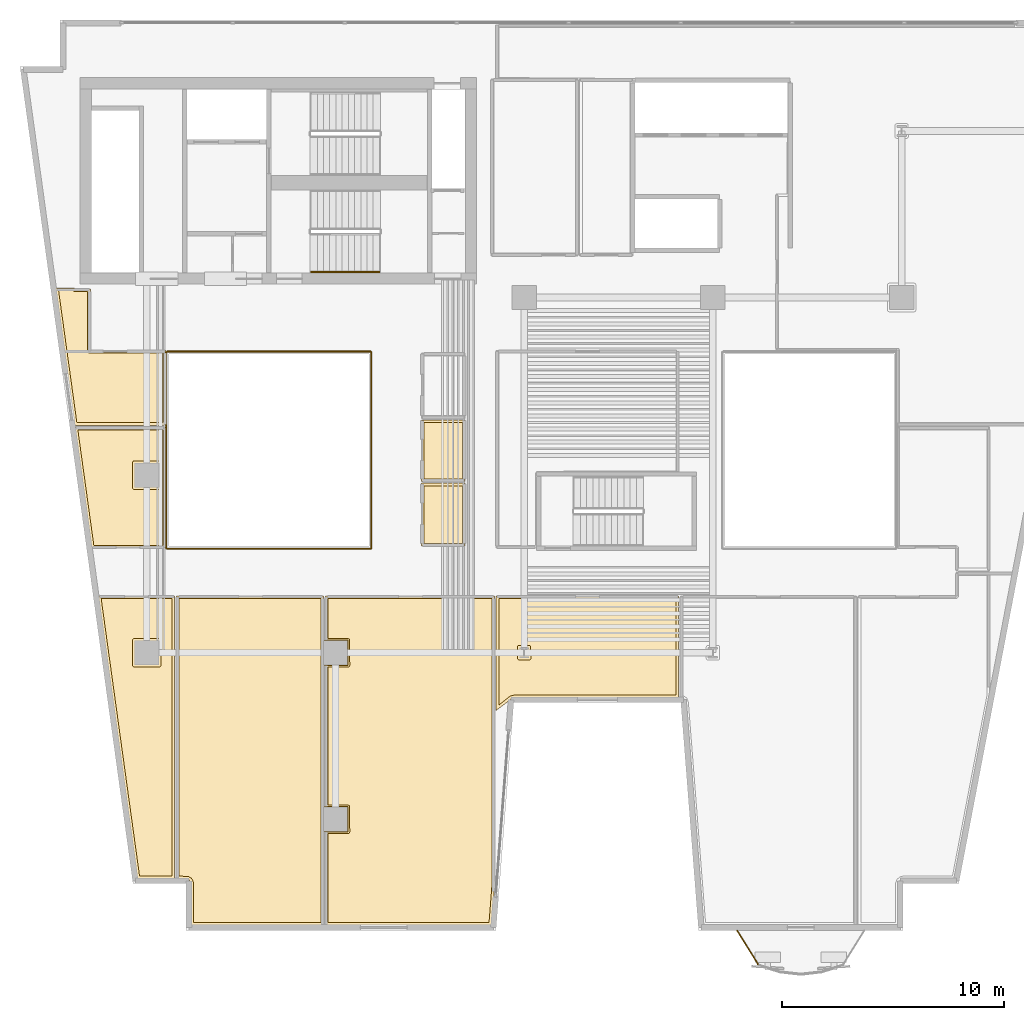
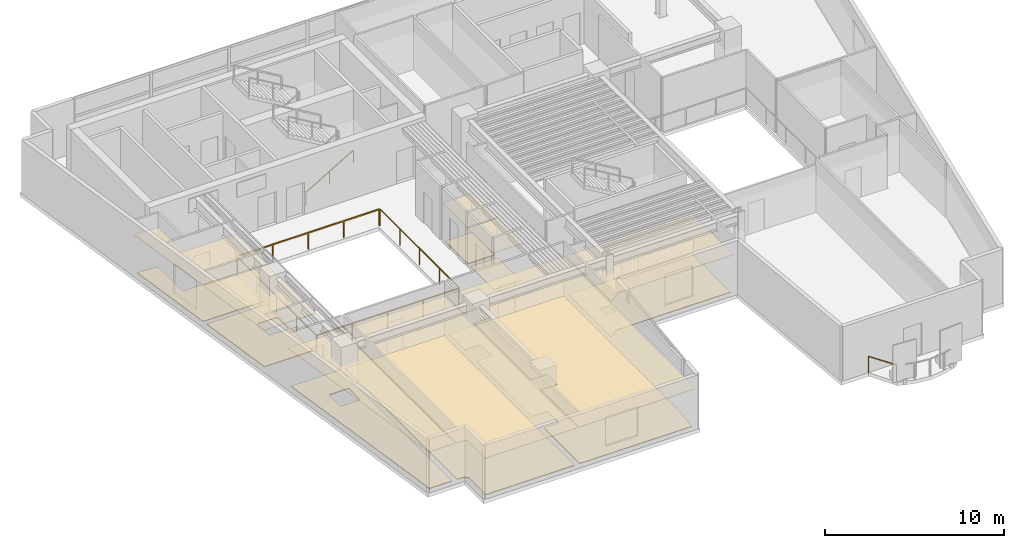
# One storey, part 10 of 13: 16 coverings, 6 railings.
"""IFC4 building model written with IfcOpenShell, lengths in metres."""

from ifc_helpers import new_model, si_unit, direction, frame, origin, origin_2d, place, context, subcontext, project, spatial, polyline, rectangle, outline, extrude, material, layer, layer_set, type_object, element, save


model = new_model("IFC4")

# Units and contexts
model_context = context("Model", 3, precision=1e-05, world=origin(), true_north=direction((0.0, 1.0)))
body_context = subcontext(model_context, "Body", "Model", "MODEL_VIEW")
ifc_project = project(units=[si_unit("LENGTHUNIT", "METRE"), si_unit("AREAUNIT", "SQUARE_METRE"), si_unit("VOLUMEUNIT", "CUBIC_METRE"), si_unit("PLANEANGLEUNIT", "RADIAN"), si_unit("MASSUNIT", "GRAM", prefix="KILO")], contexts=[model_context])

# Site, building, storey
site_placement = place(None, origin())
site = spatial("IfcSite", under=ifc_project, at=site_placement, CompositionType="ELEMENT")
building_placement = place(site_placement, origin())
building = spatial("IfcBuilding", under=site, at=building_placement, Name="Caeloran Harvest Quay", CompositionType="ELEMENT")
storey_placement = place(building_placement, frame((0.0, 0.0, 170.64990234375)))
storey = spatial("IfcBuildingStorey", under=building, at=storey_placement, Name="L40", CompositionType="ELEMENT", Elevation=170.64990234375)

# Coverings
ifc_material_1 = material(Name="Perforated Mineral-Fibre Acoustic Ceiling Tile", Category="ceiling")
ifc_layer_1 = layer(ifc_material_1, 0.0400390625, Name="Perforated Mineral-Fibre Acoustic Ceiling Tile")
ifc_layer_set_1 = layer_set([ifc_layer_1], Name="Perforated Mineral-Fibre Acoustic Ceiling Tile")
covering_type_1 = type_object("IfcCoveringType", Name="COV-CEILING-ACOUSTIC", PredefinedType="CEILING", material=ifc_layer_set_1)
covering_1_placement = place(storey_placement, frame((0.0, 0.0, 2.60009765625)))
element("IfcCovering", 1, at=covering_1_placement, inside=storey, type_object=covering_type_1, Name="L40 Female Washroom WC Acoustic Ceiling", PredefinedType="CEILING", context=body_context, shape_type="SweptSolid", body=[
    extrude(outline(polyline([(22.840087890625, 22.7099609375), (20.8701171875, 22.7099609375), (20.8701171875, 25.489990234375), (22.840087890625, 25.489990234375), (22.840087890625, 22.7099609375)])), origin(), (0.0, 0.0, 1.0), 0.0400390625),
])
covering_2_placement = place(storey_placement, frame((0.0, 0.0, 2.60009765625)))
element("IfcCovering", 2, at=covering_2_placement, inside=storey, type_object=covering_type_1, Name="L40 Accessible Unisex Washroom WC Acoustic Ceiling", PredefinedType="CEILING", context=body_context, shape_type="SweptSolid", body=[
    extrude(outline(polyline([(22.840087890625, 19.81005859375), (20.8701171875, 19.81005859375), (20.8701171875, 22.639892578125), (22.840087890625, 22.639892578125), (22.840087890625, 19.81005859375)])), origin(), (0.0, 0.0, 1.0), 0.0400390625),
])
covering_3_placement = place(storey_placement, frame((0.0, 0.0, 2.60009765625)))
element("IfcCovering", 3, at=covering_3_placement, inside=storey, type_object=covering_type_1, Name="Agri-Design Innovation Studio Acoustic Ceiling", PredefinedType="CEILING", context=body_context, shape_type="SweptSolid", body=[
    extrude(outline(polyline([(16.429931640625, 6.929931640625), (16.429931640625, 8.070068359375), (16.5400390625, 8.070068359375), (16.5400390625, 14.429931640625), (16.429931640625, 14.429931640625), (16.429931640625, 15.570068359375), (16.5400390625, 15.570068359375), (16.5400390625, 17.56005859375), (24.159912109375, 17.56005859375), (24.159912109375, 4.430419921875), (24.026611328125, 2.719970703125), (16.5400390625, 2.719970703125), (16.5400390625, 6.929931640625), (16.429931640625, 6.929931640625)])), origin(), (0.0, 0.0, 1.0), 0.0400390625),
])
covering_4_placement = place(storey_placement, frame((0.0, 0.0, 2.60009765625)))
element("IfcCovering", 4, at=covering_4_placement, inside=storey, type_object=covering_type_1, Name="Hospitality Tasting Dining Kitchen Acoustic Ceiling", PredefinedType="CEILING", context=body_context, shape_type="SweptSolid", body=[
    extrude(outline(polyline([(17.570068359375, 8.070068359375), (17.570068359375, 6.929931640625), (16.4599609375, 6.929931640625), (16.4599609375, 2.719970703125), (10.489990234375, 2.719970703125), (10.48046875, 4.663818359375), (10.409423828125, 4.77001953125), (10.31298828125, 4.815673828125), (9.840087890625, 4.820068359375), (9.840087890625, 17.56005859375), (16.4599609375, 17.56005859375), (16.4599609375, 15.570068359375), (17.570068359375, 15.570068359375), (17.570068359375, 14.429931640625), (16.4599609375, 14.429931640625), (16.4599609375, 8.070068359375), (17.570068359375, 8.070068359375)])), origin(), (0.0, 0.0, 1.0), 0.0400390625),
])
covering_5_placement = place(storey_placement, frame((0.0, 0.0, 2.60009765625)))
element("IfcCovering", 5, at=covering_5_placement, inside=storey, type_object=covering_type_1, Name="Executive Chef Kitchen Acoustic Ceiling", PredefinedType="CEILING", context=body_context, shape_type="SweptSolid", body=[
    extrude(outline(polyline([(8.0712890625, 4.820068359375), (6.309326171875, 17.56005859375), (9.760009765625, 17.56005859375), (9.760009765625, 4.820068359375), (8.0712890625, 4.820068359375)])), origin(), (0.0, 0.0, 1.0), 0.0400390625),
])
covering_6_placement = place(storey_placement, frame((0.0, 0.0, 2.60009765625)))
element("IfcCovering", 6, at=covering_6_placement, inside=storey, type_object=covering_type_1, Name="Media Broadcast Studio Acoustic Ceiling", PredefinedType="CEILING", context=body_context, shape_type="SweptSolid", body=[
    extrude(outline(polyline([(32.4599609375, 12.969970703125), (25.008056640625, 12.968994140625), (24.90625, 12.931884765625), (24.836181640625, 12.85400390625), (24.239990234375, 12.403564453125), (24.239990234375, 17.56005859375), (32.4599609375, 17.56005859375), (32.4599609375, 12.969970703125)])), origin(), (0.0, 0.0, 1.0), 0.0400390625),
])
covering_7_placement = place(storey_placement, frame((0.0, 0.0, 2.60009765625)))
element("IfcCovering", 7, at=covering_7_placement, inside=storey, type_object=covering_type_1, Name="Agri-Design Innovation Studio 8 Acoustic Ceiling", PredefinedType="CEILING", context=body_context, shape_type="SweptSolid", body=[
    extrude(outline(polyline([(9.360107421875, 19.7099609375), (6.01220703125, 19.7099609375), (5.25830078125, 25.159912109375), (9.360107421875, 25.159912109375), (9.360107421875, 19.7099609375)])), origin(), (0.0, 0.0, 1.0), 0.0400390625),
])
covering_8_placement = place(storey_placement, frame((0.0, 0.0, 2.60009765625)))
element("IfcCovering", 8, at=covering_8_placement, inside=storey, type_object=covering_type_1, Name="Culinary Product Studio 10 Acoustic Ceiling", PredefinedType="CEILING", context=body_context, shape_type="SweptSolid", body=[
    extrude(outline(polyline([(5.260009765625, 31.389892578125), (5.9599609375, 31.389892578125), (5.9599609375, 28.610107421875), (9.360107421875, 28.610107421875), (9.360107421875, 25.239990234375), (5.247314453125, 25.239990234375), (4.391357421875, 31.429931640625), (5.214599609375, 31.429931640625), (5.260009765625, 31.408447265625), (5.260009765625, 31.389892578125)])), origin(), (0.0, 0.0, 1.0), 0.0400390625),
])
ifc_material_2 = material(Name="Calcium-Sulphate Raised Access Floor and Terrazzo Finish", Category="flooring")
ifc_layer_2 = layer(ifc_material_2, 0.050048828125, Name="Calcium-Sulphate Raised Access Floor and Terrazzo Finish")
ifc_layer_set_2 = layer_set([ifc_layer_2], Name="Calcium-Sulphate Raised Access Floor and Terrazzo Finish")
covering_type_2 = type_object("IfcCoveringType", Name="COV-FLOOR-RAISED", PredefinedType="FLOORING", material=ifc_layer_set_2)
covering_9_placement = place(storey_placement, origin())
element("IfcCovering", 9, at=covering_9_placement, inside=storey, type_object=covering_type_2, Name="L40 Female Washroom WC Raised Finish Flooring", PredefinedType="FLOORING", context=body_context, shape_type="SweptSolid", body=[
    extrude(outline(polyline([(22.719970703125, 22.830078125), (20.989990234375, 22.830078125), (20.989990234375, 25.3701171875), (22.719970703125, 25.3701171875), (22.719970703125, 22.830078125)])), origin(), (0.0, 0.0, 1.0), 0.050048828125),
])
covering_10_placement = place(storey_placement, origin())
element("IfcCovering", 10, at=covering_10_placement, inside=storey, type_object=covering_type_2, Name="L40 Accessible Unisex Washroom WC Raised Finish Flooring", PredefinedType="FLOORING", context=body_context, shape_type="SweptSolid", body=[
    extrude(outline(polyline([(22.719970703125, 19.929931640625), (20.989990234375, 19.929931640625), (20.989990234375, 22.52001953125), (22.719970703125, 22.52001953125), (22.719970703125, 19.929931640625)])), origin(), (0.0, 0.0, 1.0), 0.050048828125),
])
covering_11_placement = place(storey_placement, origin())
element("IfcCovering", 11, at=covering_11_placement, inside=storey, type_object=covering_type_2, Name="Agri-Design Innovation Studio Raised Finish Flooring", PredefinedType="FLOORING", context=body_context, shape_type="SweptSolid", body=[
    extrude(outline(polyline([(16.659912109375, 2.840087890625), (16.659912109375, 6.85498046875), (17.57275390625, 6.85546875), (17.626708984375, 6.88427734375), (17.64501953125, 6.93505859375), (17.626708984375, 8.11572265625), (17.56494140625, 8.14501953125), (16.659912109375, 8.14501953125), (16.659912109375, 14.35498046875), (17.57275390625, 14.35546875), (17.626708984375, 14.38427734375), (17.64501953125, 14.43505859375), (17.626708984375, 15.61572265625), (17.56494140625, 15.64501953125), (16.659912109375, 15.64501953125), (16.659912109375, 17.43994140625), (24.0400390625, 17.43994140625), (24.0400390625, 4.43505859375), (23.91552734375, 2.840087890625), (16.659912109375, 2.840087890625)])), origin(), (0.0, 0.0, 1.0), 0.050048828125),
])
covering_12_placement = place(storey_placement, origin())
element("IfcCovering", 12, at=covering_12_placement, inside=storey, type_object=covering_type_2, Name="Hospitality Tasting Dining Kitchen Raised Finish Flooring", PredefinedType="FLOORING", context=body_context, shape_type="SweptSolid", body=[
    extrude(outline(polyline([(10.58544921875, 4.726318359375), (10.507568359375, 4.843017578125), (10.372314453125, 4.924072265625), (9.9599609375, 4.93994140625), (9.9599609375, 17.43994140625), (16.340087890625, 17.43994140625), (16.340087890625, 2.840087890625), (10.610107421875, 2.840087890625), (10.610107421875, 4.60009765625), (10.58544921875, 4.726318359375)])), origin(), (0.0, 0.0, 1.0), 0.050048828125),
])
covering_13_placement = place(storey_placement, origin())
element("IfcCovering", 13, at=covering_13_placement, inside=storey, type_object=covering_type_2, Name="Executive Chef Kitchen Raised Finish Flooring", PredefinedType="FLOORING", context=body_context, shape_type="SweptSolid", body=[
    extrude(outline(polyline([(9.639892578125, 4.93994140625), (8.17578125, 4.93994140625), (6.447021484375, 17.43994140625), (9.639892578125, 17.43994140625), (9.639892578125, 4.93994140625)]), holes=[polyline([(7.93505859375, 15.64501953125), (7.87841796875, 15.62158203125), (7.85498046875, 15.56494140625), (7.85498046875, 14.43505859375), (7.87841796875, 14.37841796875), (7.93505859375, 14.35498046875), (9.06494140625, 14.35498046875), (9.12158203125, 14.37841796875), (9.14501953125, 14.43505859375), (9.14501953125, 15.56494140625), (9.12158203125, 15.62158203125), (9.06494140625, 15.64501953125), (7.93505859375, 15.64501953125)])]), origin(), (0.0, 0.0, 1.0), 0.050048828125),
])
covering_14_placement = place(storey_placement, origin())
element("IfcCovering", 14, at=covering_14_placement, inside=storey, type_object=covering_type_2, Name="Media Broadcast Studio Raised Finish Flooring", PredefinedType="FLOORING", context=body_context, shape_type="SweptSolid", body=[
    extrude(outline(polyline([(24.87109375, 13.050537109375), (24.360107421875, 12.64453125), (24.360107421875, 17.43994140625), (32.340087890625, 17.43994140625), (32.340087890625, 13.090087890625), (25.030029296875, 13.090087890625), (24.87109375, 13.050537109375)]), holes=[polyline([(25.806884765625, 14.748046875), (25.788818359375, 15.302734375), (25.73486328125, 15.33154296875), (25.27294921875, 15.33203125), (25.21630859375, 15.30859375), (25.193115234375, 15.251953125), (25.193115234375, 14.748046875), (25.21630859375, 14.69140625), (25.27294921875, 14.66796875), (25.72705078125, 14.66796875), (25.78369140625, 14.69140625), (25.806884765625, 14.748046875)])]), origin(), (0.0, 0.0, 1.0), 0.050048828125),
])
covering_15_placement = place(storey_placement, origin())
element("IfcCovering", 15, at=covering_15_placement, inside=storey, type_object=covering_type_2, Name="Agri-Design Innovation Studio 8 Raised Finish Flooring", PredefinedType="FLOORING", context=body_context, shape_type="SweptSolid", body=[
    extrude(outline(polyline([(9.239990234375, 25.0400390625), (9.239990234375, 19.830078125), (6.11669921875, 19.830078125), (5.39599609375, 25.0400390625), (9.239990234375, 25.0400390625)]), holes=[polyline([(9.14501953125, 23.56494140625), (9.12158203125, 23.62158203125), (9.06494140625, 23.64501953125), (7.93505859375, 23.64501953125), (7.87841796875, 23.62158203125), (7.85498046875, 23.56494140625), (7.85498046875, 22.43505859375), (7.87841796875, 22.37841796875), (7.93505859375, 22.35498046875), (9.06494140625, 22.35498046875), (9.12158203125, 22.37841796875), (9.14501953125, 22.43505859375), (9.14501953125, 23.56494140625)])]), origin(), (0.0, 0.0, 1.0), 0.050048828125),
])
covering_16_placement = place(storey_placement, origin())
element("IfcCovering", 16, at=covering_16_placement, inside=storey, type_object=covering_type_2, Name="Culinary Product Studio 10 Raised Finish Flooring", PredefinedType="FLOORING", context=body_context, shape_type="SweptSolid", body=[
    extrude(outline(polyline([(5.165283203125, 31.31005859375), (5.2431640625, 31.270263671875), (5.840087890625, 31.27001953125), (5.840087890625, 28.60009765625), (5.8857421875, 28.5107421875), (5.949951171875, 28.489990234375), (9.239990234375, 28.489990234375), (9.239990234375, 25.360107421875), (5.351806640625, 25.360107421875), (4.529052734375, 31.31005859375), (5.165283203125, 31.31005859375)])), origin(), (0.0, 0.0, 1.0), 0.050048828125),
])

# Railings
ifc_material_3 = material(Name="Powder-Coated Steel Post and Laminated Glass Guardrail", Category="steel")
ifc_layer_3 = layer(ifc_material_3, 0.06005859375, Name="Powder-Coated Steel Post and Laminated Glass Guardrail")
ifc_layer_set_3 = layer_set([ifc_layer_3], Name="Powder-Coated Steel Post and Laminated Glass Guardrail")
railing_type_1 = type_object("IfcRailingType", Name="GUARD-ATRIUM-1150", PredefinedType="GUARDRAIL", material=ifc_layer_set_3)
railing_1_placement = place(storey_placement, frame((9.412109375, 19.679931640625, 0.0)))
element("IfcRailing", 17, at=railing_1_placement, inside=storey, type_object=railing_type_1, Name="L40 Skylit Atrium Void Perimeter Guardrail Seg 1", PredefinedType="GUARDRAIL", context=body_context, shape_type="SweptSolid", body=[
    extrude(rectangle(XDim=0.048095703125, YDim=0.048095703125, at=origin_2d()), frame((0.0, 0.0, 1.1259765625), z_axis=(1.0, 0.0, 0.0), x_axis=(0.0, 1.0, 0.0)), (0.0, 0.0, 1.0), 9.17578125),
    extrude(rectangle(XDim=0.0419921875, YDim=0.0419921875, at=origin_2d()), origin(), (0.0, 0.0, 1.0), 1.101806640625),
    extrude(rectangle(XDim=0.0419921875, YDim=0.0419921875, at=origin_2d()), frame((2.2939453125, 0.0, 0.0)), (0.0, 0.0, 1.0), 1.101806640625),
    extrude(rectangle(XDim=0.0419921875, YDim=0.0419921875, at=origin_2d()), frame((4.587890625, 0.0, 0.0)), (0.0, 0.0, 1.0), 1.101806640625),
    extrude(rectangle(XDim=0.0419921875, YDim=0.0419921875, at=origin_2d()), frame((6.8818359375, 0.0, 0.0)), (0.0, 0.0, 1.0), 1.101806640625),
    extrude(rectangle(XDim=0.0419921875, YDim=0.0419921875, at=origin_2d()), frame((9.17578125, 0.0, 0.0)), (0.0, 0.0, 1.0), 1.101806640625),
])
railing_2_placement = place(storey_placement, frame((18.6201171875, 19.7119140625, 0.0)))
element("IfcRailing", 18, at=railing_2_placement, inside=storey, type_object=railing_type_1, Name="L40 Skylit Atrium Void Perimeter Guardrail Seg 2", PredefinedType="GUARDRAIL", context=body_context, shape_type="SweptSolid", body=[
    extrude(rectangle(XDim=0.048095703125, YDim=0.048095703125, at=origin_2d()), frame((0.0, 0.0, 1.1259765625), z_axis=(0.0, 1.0, 0.0), x_axis=(-1.0, 0.0, 0.0)), (0.0, 0.0, 1.0), 8.826171875),
    extrude(rectangle(XDim=0.0419921875, YDim=0.0419921875, at=origin_2d()), origin(), (0.0, 0.0, 1.0), 1.101806640625),
    extrude(rectangle(XDim=0.0419921875, YDim=0.0419921875, at=origin_2d()), frame((0.0, 2.20654296875, 0.0)), (0.0, 0.0, 1.0), 1.101806640625),
    extrude(rectangle(XDim=0.0419921875, YDim=0.0419921875, at=origin_2d()), frame((0.0, 4.4130859375, 0.0)), (0.0, 0.0, 1.0), 1.101806640625),
    extrude(rectangle(XDim=0.0419921875, YDim=0.0419921875, at=origin_2d()), frame((0.0, 6.61962890625, 0.0)), (0.0, 0.0, 1.0), 1.101806640625),
    extrude(rectangle(XDim=0.0419921875, YDim=0.0419921875, at=origin_2d()), frame((0.0, 8.826171875, 0.0)), (0.0, 0.0, 1.0), 1.101806640625),
])
railing_3_placement = place(storey_placement, frame((18.587890625, 28.570068359375, 0.0)))
element("IfcRailing", 19, at=railing_3_placement, inside=storey, type_object=railing_type_1, Name="L40 Skylit Atrium Void Perimeter Guardrail Seg 3", PredefinedType="GUARDRAIL", context=body_context, shape_type="SweptSolid", body=[
    extrude(rectangle(XDim=0.048095703125, YDim=0.048095703125, at=origin_2d()), frame((0.0, 0.0, 1.1259765625), z_axis=(-1.0, 0.0, 0.0), x_axis=(0.0, -1.0, 0.0)), (0.0, 0.0, 1.0), 9.17578125),
    extrude(rectangle(XDim=0.0419921875, YDim=0.0419921875, at=origin_2d()), origin(), (0.0, 0.0, 1.0), 1.101806640625),
    extrude(rectangle(XDim=0.0419921875, YDim=0.0419921875, at=origin_2d()), frame((-2.2939453125, 0.0, 0.0)), (0.0, 0.0, 1.0), 1.101806640625),
    extrude(rectangle(XDim=0.0419921875, YDim=0.0419921875, at=origin_2d()), frame((-4.587890625, 0.0, 0.0)), (0.0, 0.0, 1.0), 1.101806640625),
    extrude(rectangle(XDim=0.0419921875, YDim=0.0419921875, at=origin_2d()), frame((-6.8818359375, 0.0, 0.0)), (0.0, 0.0, 1.0), 1.101806640625),
    extrude(rectangle(XDim=0.0419921875, YDim=0.0419921875, at=origin_2d()), frame((-9.17578125, 0.0, 0.0)), (0.0, 0.0, 1.0), 1.101806640625),
])
railing_4_placement = place(storey_placement, frame((9.3798828125, 28.5380859375, 0.0)))
element("IfcRailing", 20, at=railing_4_placement, inside=storey, type_object=railing_type_1, Name="L40 Skylit Atrium Void Perimeter Guardrail Seg 4", PredefinedType="GUARDRAIL", context=body_context, shape_type="SweptSolid", body=[
    extrude(rectangle(XDim=0.048095703125, YDim=0.048095703125, at=origin_2d()), frame((0.0, 0.0, 1.1259765625), z_axis=(0.0, -1.0, 0.0), x_axis=(1.0, 0.0, 0.0)), (0.0, 0.0, 1.0), 8.826171875),
    extrude(rectangle(XDim=0.0419921875, YDim=0.0419921875, at=origin_2d()), origin(), (0.0, 0.0, 1.0), 1.101806640625),
    extrude(rectangle(XDim=0.0419921875, YDim=0.0419921875, at=origin_2d()), frame((0.0, -2.20654296875, 0.0)), (0.0, 0.0, 1.0), 1.101806640625),
    extrude(rectangle(XDim=0.0419921875, YDim=0.0419921875, at=origin_2d()), frame((0.0, -4.4130859375, 0.0)), (0.0, 0.0, 1.0), 1.101806640625),
    extrude(rectangle(XDim=0.0419921875, YDim=0.0419921875, at=origin_2d()), frame((0.0, -6.61962890625, 0.0)), (0.0, 0.0, 1.0), 1.101806640625),
    extrude(rectangle(XDim=0.0419921875, YDim=0.0419921875, at=origin_2d()), frame((0.0, -8.826171875, 0.0)), (0.0, 0.0, 1.0), 1.101806640625),
])
ifc_material_4 = material(Name="Laminated Safety Glass and Stainless Steel 316", Category="steel")
ifc_layer_4 = layer(ifc_material_4, 0.06005859375, Name="Laminated Safety Glass and Stainless Steel 316")
ifc_layer_set_4 = layer_set([ifc_layer_4], Name="Laminated Safety Glass and Stainless Steel 316")
railing_type_2 = type_object("IfcRailingType", Name="GUARD-BALUSTRADE-1150", PredefinedType="BALUSTRADE", material=ifc_layer_set_4)
railing_5_placement = place(storey_placement, frame((36.0283203125, 0.973876953125, 0.0)))
element("IfcRailing", 21, at=railing_5_placement, inside=storey, type_object=railing_type_2, Name="L40 Planted Balcony Perimeter Balustrade Guard Seg 6", PredefinedType="BALUSTRADE", context=body_context, shape_type="SweptSolid", body=[
    extrude(rectangle(XDim=0.048095703125, YDim=0.048095703125, at=origin_2d()), frame((0.0, 0.0, 1.1259765625), z_axis=(-0.529145567667, 0.84853106497, 0.0), x_axis=(-0.84853106497, -0.529145567667, 0.0)), (0.0, 0.0, 1.0), 1.77490234375),
    extrude(rectangle(XDim=0.0419921875, YDim=0.0419921875, at=origin_2d()), origin(), (0.0, 0.0, 1.0), 1.101806640625),
    extrude(rectangle(XDim=0.0419921875, YDim=0.0419921875, at=origin_2d()), frame((-0.939208984375, 1.506103515625, 0.0)), (0.0, 0.0, 1.0), 1.101806640625),
])
ifc_material_5 = material(Name="Brushed Stainless Steel Grade 304", Category="steel")
ifc_layer_5 = layer(ifc_material_5, 0.050048828125, Name="Brushed Stainless Steel Grade 304")
ifc_layer_set_5 = layer_set([ifc_layer_5], Name="Brushed Stainless Steel Grade 304")
railing_type_3 = type_object("IfcRailingType", Name="STAIR-HANDRAIL-900", PredefinedType="HANDRAIL", material=ifc_layer_set_5)
railing_6_placement = place(storey_placement, frame((15.89990234375, 32.14990234375, 0.164794921875)))
element("IfcRailing", 22, at=railing_6_placement, inside=storey, type_object=railing_type_3, Name="L40 ST-C2 stair handrail 1", PredefinedType="HANDRAIL", context=body_context, shape_type="SweptSolid", body=[
    extrude(rectangle(XDim=0.048095703125, YDim=0.048095703125, at=origin_2d()), frame((0.0, 0.0, 0.8759765625), z_axis=(0.862118610829, 0.0, 0.506706523406), x_axis=(0.0, 1.0, 0.0)), (0.0, 0.0, 1.0), 3.57275390625),
    extrude(rectangle(XDim=0.0419921875, YDim=0.0419921875, at=origin_2d()), origin(), (0.0, 0.0, 1.0), 0.851806640625),
    extrude(rectangle(XDim=0.0419921875, YDim=0.0419921875, at=origin_2d()), frame((1.5400390625, 0.0, 0.9052734375)), (0.0, 0.0, 1.0), 0.851806640625),
    extrude(rectangle(XDim=0.0419921875, YDim=0.0419921875, at=origin_2d()), frame((3.080078125, 0.0, 1.810302734375)), (0.0, 0.0, 1.0), 0.851806640625),
])

save(model, "model.ifc")
